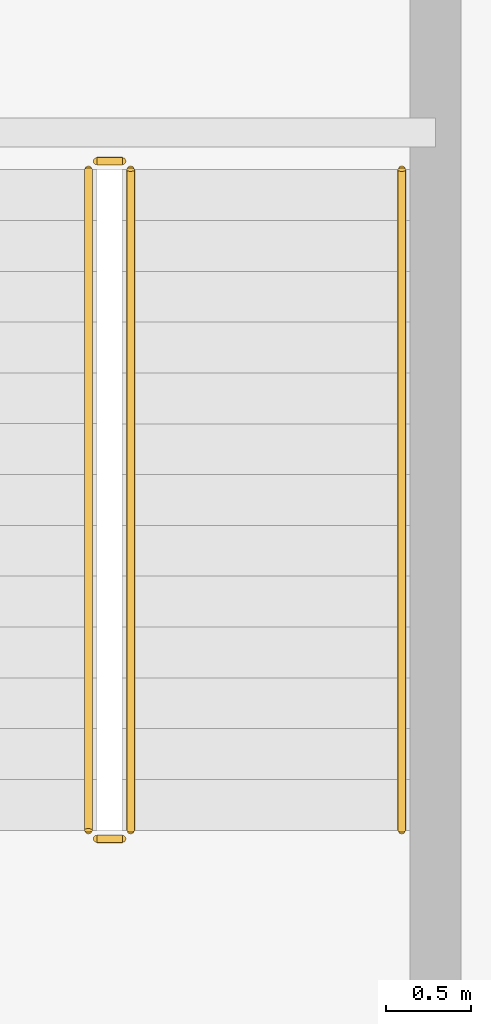
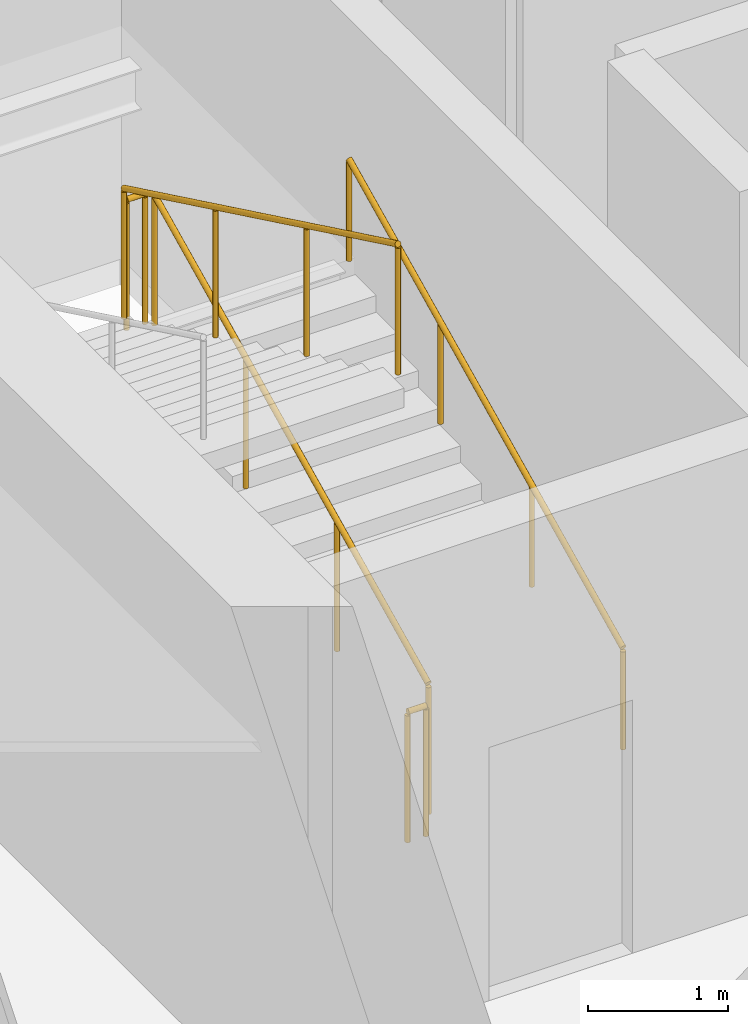
# One storey, part 36 of 45: 5 railings.
"""IFC4 building model written with IfcOpenShell, lengths in metres."""

from ifc_helpers import new_model, si_unit, direction, frame, origin, origin_2d, place, context, subcontext, project, spatial, circle, extrude, material, type_object, element, save


model = new_model("IFC4")

# Units and contexts
model_context = context("Model", 3, precision=1e-05, world=origin(), true_north=direction((0.0, 1.0)))
body_context = subcontext(model_context, "Body", "Model", "MODEL_VIEW")
ifc_project = project(units=[si_unit("LENGTHUNIT", "METRE"), si_unit("AREAUNIT", "SQUARE_METRE"), si_unit("VOLUMEUNIT", "CUBIC_METRE"), si_unit("PLANEANGLEUNIT", "RADIAN"), si_unit("MASSUNIT", "GRAM", prefix="KILO")], contexts=[model_context])

# Site, building, storey
site_placement = place(None, origin())
site = spatial("IfcSite", under=ifc_project, at=site_placement, CompositionType="ELEMENT")
building_placement = place(site_placement, origin())
building = spatial("IfcBuilding", under=site, at=building_placement, Name="Punatoya Terracotta Tower", CompositionType="ELEMENT")
storey_placement = place(building_placement, frame((0.0, 0.0, 56.550048828125)))
storey = spatial("IfcBuildingStorey", under=building, at=storey_placement, Name="L12", CompositionType="ELEMENT", Elevation=56.550048828125)

# Railings
ifc_material = material(Name="Steel S355", Category="steel")
railing_type_1 = type_object("IfcRailingType", Name="RLG-GRD-1150", PredefinedType="GUARDRAIL", material=ifc_material)
railing_1_placement = place(storey_placement, frame((-7.85009765625, -3.800048828125, 0.14453125)))
element("IfcRailing", 1, at=railing_1_placement, inside=storey, type_object=railing_type_1, Name="L12 ST-1 stair guard 1", PredefinedType="GUARDRAIL", context=body_context, shape_type="SweptSolid", body=[
    extrude(circle(Radius=0.02392578125, at=origin_2d()), frame((0.0, 0.0, 1.1259765625), z_axis=(0.0, 0.900773802044, 0.434288564841), x_axis=(-1.0, 0.0, 0.0)), (0.0, 0.0, 1.0), 4.329833984375),
    extrude(circle(Radius=0.02099609375, at=origin_2d()), origin(), (0.0, 0.0, 1.0), 1.101806640625),
    extrude(circle(Radius=0.02099609375, at=origin_2d()), frame((0.0, 1.300048828125, 0.626708984375)), (0.0, 0.0, 1.0), 1.101806640625),
    extrude(circle(Radius=0.02099609375, at=origin_2d()), frame((0.0, 2.60009765625, 1.253662109375)), (0.0, 0.0, 1.0), 1.101806640625),
    extrude(circle(Radius=0.02099609375, at=origin_2d()), frame((0.0, 3.900146484375, 1.88037109375)), (0.0, 0.0, 1.0), 1.101806640625),
])
railing_2_placement = place(storey_placement, frame((-7.89990234375, 0.14990234375, 2.02490234375)))
element("IfcRailing", 2, at=railing_2_placement, inside=storey, type_object=railing_type_1, Name="L12 ST-1 stair guard 2", PredefinedType="GUARDRAIL", context=body_context, shape_type="SweptSolid", body=[
    extrude(circle(Radius=0.02392578125, at=origin_2d()), frame((0.0, 0.0, 1.1259765625), z_axis=(-1.0, 0.0, 0.0), x_axis=(0.0, -1.0, 0.0)), (0.0, 0.0, 1.0), 0.150146484375),
    extrude(circle(Radius=0.02099609375, at=origin_2d()), origin(), (0.0, 0.0, 1.0), 1.101806640625),
    extrude(circle(Radius=0.02099609375, at=origin_2d()), frame((-0.150146484375, 0.0, 0.0)), (0.0, 0.0, 1.0), 1.101806640625),
])
railing_3_placement = place(storey_placement, frame((-8.10009765625, 0.10009765625, 2.169677734375)))
element("IfcRailing", 3, at=railing_3_placement, inside=storey, type_object=railing_type_1, Name="L12 ST-1 stair guard 3", PredefinedType="GUARDRAIL", context=body_context, shape_type="SweptSolid", body=[
    extrude(circle(Radius=0.02392578125, at=origin_2d()), frame((0.0, 0.0, 1.1259765625), z_axis=(0.0, -0.900773802044, 0.434288564841), x_axis=(1.0, 0.0, 0.0)), (0.0, 0.0, 1.0), 4.329833984375),
    extrude(circle(Radius=0.02099609375, at=origin_2d()), origin(), (0.0, 0.0, 1.0), 1.101806640625),
    extrude(circle(Radius=0.02099609375, at=origin_2d()), frame((0.0, -1.300048828125, 0.626708984375)), (0.0, 0.0, 1.0), 1.101806640625),
    extrude(circle(Radius=0.02099609375, at=origin_2d()), frame((0.0, -2.60009765625, 1.253662109375)), (0.0, 0.0, 1.0), 1.101806640625),
    extrude(circle(Radius=0.02099609375, at=origin_2d()), frame((0.0, -3.900146484375, 1.88037109375)), (0.0, 0.0, 1.0), 1.101806640625),
])
railing_4_placement = place(storey_placement, frame((-7.89990234375, -3.85009765625, 0.0)))
element("IfcRailing", 4, at=railing_4_placement, inside=storey, type_object=railing_type_1, Name="L12 ST-1 stair guard 4", PredefinedType="GUARDRAIL", context=body_context, shape_type="SweptSolid", body=[
    extrude(circle(Radius=0.02392578125, at=origin_2d()), frame((0.0, 0.0, 1.1259765625), z_axis=(-1.0, 0.0, 0.0), x_axis=(0.0, -1.0, 0.0)), (0.0, 0.0, 1.0), 0.150146484375),
    extrude(circle(Radius=0.02099609375, at=origin_2d()), origin(), (0.0, 0.0, 1.0), 1.101806640625),
    extrude(circle(Radius=0.02099609375, at=origin_2d()), frame((-0.150146484375, 0.0, 0.0)), (0.0, 0.0, 1.0), 1.101806640625),
])
railing_type_2 = type_object("IfcRailingType", Name="RLG-HND-900", PredefinedType="HANDRAIL", material=ifc_material)
railing_5_placement = place(storey_placement, frame((-6.25, -3.800048828125, 0.14453125)))
element("IfcRailing", 5, at=railing_5_placement, inside=storey, type_object=railing_type_2, Name="L12 ST-1 stair handrail 1", PredefinedType="HANDRAIL", context=body_context, shape_type="SweptSolid", body=[
    extrude(circle(Radius=0.02392578125, at=origin_2d()), frame((0.0, 0.0, 0.8759765625), z_axis=(0.0, 0.900773802044, 0.434288564841), x_axis=(-1.0, 0.0, 0.0)), (0.0, 0.0, 1.0), 4.329833984375),
    extrude(circle(Radius=0.02099609375, at=origin_2d()), origin(), (0.0, 0.0, 1.0), 0.851806640625),
    extrude(circle(Radius=0.02099609375, at=origin_2d()), frame((0.0, 1.300048828125, 0.626708984375)), (0.0, 0.0, 1.0), 0.851806640625),
    extrude(circle(Radius=0.02099609375, at=origin_2d()), frame((0.0, 2.60009765625, 1.253662109375)), (0.0, 0.0, 1.0), 0.851806640625),
    extrude(circle(Radius=0.02099609375, at=origin_2d()), frame((0.0, 3.900146484375, 1.88037109375)), (0.0, 0.0, 1.0), 0.851806640625),
])

save(model, "model.ifc")
